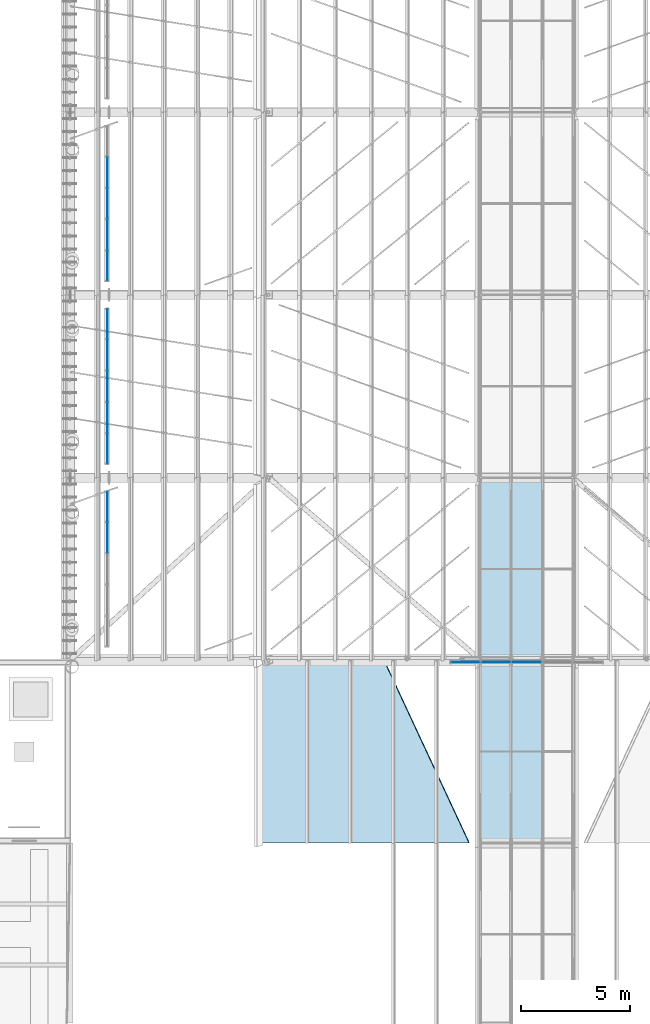
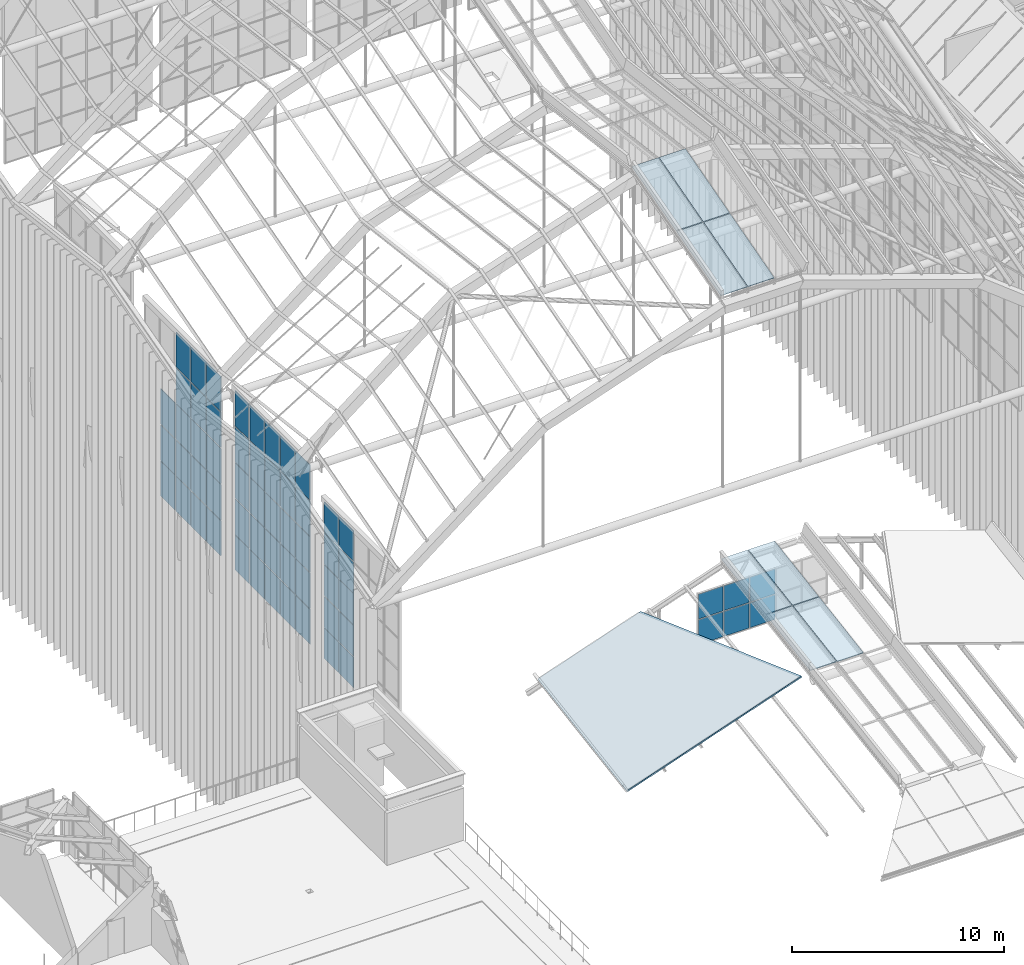
# One storey, part 71 of 126: 67 plates, 1 slab, 4 elements without a shape of their own.
"""IFC4 building model written with IfcOpenShell, lengths in metres."""

from ifc_helpers import new_model, si_unit, direction, frame, origin, origin_2d, place, context, subcontext, project, spatial, polyline, rectangle, outline, extrude, material, layer, layer_set, type_object, element, aggregate, save


model = new_model("IFC4")

# Units and contexts
model_context = context("Model", 3, precision=1e-05, world=origin(), true_north=direction((0.0, 1.0)))
body_context = subcontext(model_context, "Body", "Model", "MODEL_VIEW")
ifc_project = project(units=[si_unit("LENGTHUNIT", "METRE"), si_unit("AREAUNIT", "SQUARE_METRE"), si_unit("VOLUMEUNIT", "CUBIC_METRE"), si_unit("PLANEANGLEUNIT", "RADIAN"), si_unit("MASSUNIT", "GRAM", prefix="KILO")], contexts=[model_context])

# Site, building, storey
site_placement = place(None, origin())
site = spatial("IfcSite", under=ifc_project, at=site_placement, CompositionType="ELEMENT")
building_placement = place(site_placement, origin())
building = spatial("IfcBuilding", under=site, at=building_placement, Name="Sava Quay Ferry Terminal", CompositionType="ELEMENT")
storey_placement = place(building_placement, frame((0.0, 0.0, 15.0)))
storey = spatial("IfcBuildingStorey", under=building, at=storey_placement, Name="L03", CompositionType="ELEMENT", Elevation=15.0)

# Curtain wall, plates
ifc_material_1 = material(Name="Aluminium and glass curtain wall, double low-e glazed", Category="aluminium")
curtain_wall_type_1 = type_object("IfcCurtainWallType", Name="Curtain wall CW-G gable", PredefinedType="NOTDEFINED", material=ifc_material_1)
curtain_wall_1_placement = place(storey_placement, origin())
curtain_wall_1 = element("IfcCurtainWall", 1, at=curtain_wall_1_placement, inside=storey, type_object=curtain_wall_type_1, Name="Curtain wall D-S L03 bay 31", PredefinedType="NOTDEFINED")
ifc_material_2 = material(Name="Laminated glass, double low-e glazed unit", Category="glass")
ifc_layer_1 = layer(ifc_material_2, 0.028076171875)
ifc_layer_set_1 = layer_set([ifc_layer_1], Name="Laminated glass, double low-e glazed unit")
plate_type_1 = type_object("IfcPlateType", Name="Glass panel 28 double low-e", PredefinedType="CURTAIN_PANEL", material=ifc_layer_set_1)
plate_1_placement = place(storey_placement, frame((60.19091796875, 50.31494140625, 0.0498046875), z_axis=(0.0, 0.0, 1.0), x_axis=(1.0, 0.0, 0.0)))
plate_1 = element("IfcPlate", 2, at=plate_1_placement, type_object=plate_type_1, Name="CW92 panel 1.1", PredefinedType="CURTAIN_PANEL", context=body_context, shape_type="SweptSolid", body=[
    extrude(rectangle(XDim=1.322021484375, YDim=0.028076171875, at=origin_2d()), origin(), (0.0, 0.0, 1.0), 1.425048828125),
])
plate_2_placement = place(storey_placement, frame((60.19091796875, 50.31494140625, 1.52490234375), z_axis=(0.0, 0.0, 1.0), x_axis=(1.0, 0.0, 0.0)))
plate_2 = element("IfcPlate", 3, at=plate_2_placement, type_object=plate_type_1, Name="CW92 panel 1.2", PredefinedType="CURTAIN_PANEL", context=body_context, shape_type="SweptSolid", body=[
    extrude(rectangle(XDim=1.322021484375, YDim=0.028076171875, at=origin_2d()), origin(), (0.0, 0.0, 1.0), 1.425048828125),
])
plate_3_placement = place(storey_placement, frame((61.587890625, 50.31494140625, 0.0498046875), z_axis=(0.0, 0.0, 1.0), x_axis=(1.0, 0.0, 0.0)))
plate_3 = element("IfcPlate", 4, at=plate_3_placement, type_object=plate_type_1, Name="CW92 panel 2.1", PredefinedType="CURTAIN_PANEL", context=body_context, shape_type="SweptSolid", body=[
    extrude(rectangle(XDim=1.35205078125, YDim=0.028076171875, at=origin_2d()), origin(), (0.0, 0.0, 1.0), 1.425048828125),
])
plate_4_placement = place(storey_placement, frame((61.587890625, 50.31494140625, 1.52490234375), z_axis=(0.0, 0.0, 1.0), x_axis=(1.0, 0.0, 0.0)))
plate_4 = element("IfcPlate", 5, at=plate_4_placement, type_object=plate_type_1, Name="CW92 panel 2.2", PredefinedType="CURTAIN_PANEL", context=body_context, shape_type="SweptSolid", body=[
    extrude(rectangle(XDim=1.35205078125, YDim=0.028076171875, at=origin_2d()), origin(), (0.0, 0.0, 1.0), 1.425048828125),
])
plate_5_placement = place(storey_placement, frame((63.0, 50.31494140625, 0.0498046875), z_axis=(0.0, 0.0, 1.0), x_axis=(1.0, 0.0, 0.0)))
plate_5 = element("IfcPlate", 6, at=plate_5_placement, type_object=plate_type_1, Name="CW92 panel 3.1", PredefinedType="CURTAIN_PANEL", context=body_context, shape_type="SweptSolid", body=[
    extrude(rectangle(XDim=1.35205078125, YDim=0.028076171875, at=origin_2d()), origin(), (0.0, 0.0, 1.0), 1.425048828125),
])
plate_6_placement = place(storey_placement, frame((63.0, 50.31494140625, 1.52490234375), z_axis=(0.0, 0.0, 1.0), x_axis=(1.0, 0.0, 0.0)))
plate_6 = element("IfcPlate", 7, at=plate_6_placement, type_object=plate_type_1, Name="CW92 panel 3.2", PredefinedType="CURTAIN_PANEL", context=body_context, shape_type="SweptSolid", body=[
    extrude(rectangle(XDim=1.35205078125, YDim=0.028076171875, at=origin_2d()), origin(), (0.0, 0.0, 1.0), 1.425048828125),
])
aggregate(curtain_wall_1, [plate_1, plate_2, plate_3, plate_4, plate_5, plate_6])

ifc_material_3 = material(Name="Aluminium and glass curtain wall, double low-e glazed", Category="aluminium")
curtain_wall_type_2 = type_object("IfcCurtainWallType", Name="Curtain wall CW-F flank", PredefinedType="NOTDEFINED", material=ifc_material_3)
curtain_wall_2_placement = place(storey_placement, origin())
curtain_wall_2 = element("IfcCurtainWall", 8, at=curtain_wall_2_placement, inside=storey, type_object=curtain_wall_type_2, Name="Curtain wall D-W L03 bay 1", PredefinedType="NOTDEFINED")
plate_7_placement = place(storey_placement, frame((43.72509765625, 56.0400390625, 0.050048828125), z_axis=(0.0, 0.0, 1.0), x_axis=(0.0, 1.0, 0.0)))
plate_7 = element("IfcPlate", 9, at=plate_7_placement, type_object=plate_type_1, Name="CW98 panel 4.1", PredefinedType="CURTAIN_PANEL", context=body_context, shape_type="SweptSolid", body=[
    extrude(rectangle(XDim=1.3798828125, YDim=0.028076171875, at=origin_2d()), origin(), (0.0, 0.0, 1.0), 1.7451171875),
])
plate_8_placement = place(storey_placement, frame((43.72509765625, 56.0400390625, 1.844970703125), z_axis=(0.0, 0.0, 1.0), x_axis=(0.0, 1.0, 0.0)))
plate_8 = element("IfcPlate", 10, at=plate_8_placement, type_object=plate_type_1, Name="CW98 panel 4.2", PredefinedType="CURTAIN_PANEL", context=body_context, shape_type="SweptSolid", body=[
    extrude(rectangle(XDim=1.3798828125, YDim=0.028076171875, at=origin_2d()), origin(), (0.0, 0.0, 1.0), 1.77001953125),
])
plate_9_placement = place(storey_placement, frame((43.72509765625, 56.0400390625, 3.6650390625), z_axis=(0.0, 0.0, 1.0), x_axis=(0.0, 1.0, 0.0)))
plate_9 = element("IfcPlate", 11, at=plate_9_placement, type_object=plate_type_1, Name="CW98 panel 4.3", PredefinedType="CURTAIN_PANEL", context=body_context, shape_type="SweptSolid", body=[
    extrude(rectangle(XDim=1.3798828125, YDim=0.028076171875, at=origin_2d()), origin(), (0.0, 0.0, 1.0), 1.77001953125),
])
plate_10_placement = place(storey_placement, frame((43.72509765625, 56.0400390625, 5.485107421875), z_axis=(0.0, 0.0, 1.0), x_axis=(0.0, 1.0, 0.0)))
plate_10 = element("IfcPlate", 12, at=plate_10_placement, type_object=plate_type_1, Name="CW98 panel 4.4", PredefinedType="CURTAIN_PANEL", context=body_context, shape_type="SweptSolid", body=[
    extrude(rectangle(XDim=1.3798828125, YDim=0.028076171875, at=origin_2d()), origin(), (0.0, 0.0, 1.0), 1.77001953125),
])
plate_11_placement = place(storey_placement, frame((43.72509765625, 56.0400390625, 7.304931640625), z_axis=(0.0, 0.0, 1.0), x_axis=(0.0, 1.0, 0.0)))
plate_11 = element("IfcPlate", 13, at=plate_11_placement, type_object=plate_type_1, Name="CW98 panel 4.5", PredefinedType="CURTAIN_PANEL", context=body_context, shape_type="SweptSolid", body=[
    extrude(rectangle(XDim=1.3798828125, YDim=0.028076171875, at=origin_2d()), origin(), (0.0, 0.0, 1.0), 1.7451171875),
])
plate_12_placement = place(storey_placement, frame((43.72509765625, 57.465087890625, 0.050048828125), z_axis=(0.0, 0.0, 1.0), x_axis=(0.0, 1.0, 0.0)))
plate_12 = element("IfcPlate", 14, at=plate_12_placement, type_object=plate_type_1, Name="CW98 panel 5.1", PredefinedType="CURTAIN_PANEL", context=body_context, shape_type="SweptSolid", body=[
    extrude(rectangle(XDim=1.35009765625, YDim=0.028076171875, at=origin_2d()), origin(), (0.0, 0.0, 1.0), 1.7451171875),
])
plate_13_placement = place(storey_placement, frame((43.72509765625, 57.465087890625, 1.844970703125), z_axis=(0.0, 0.0, 1.0), x_axis=(0.0, 1.0, 0.0)))
plate_13 = element("IfcPlate", 15, at=plate_13_placement, type_object=plate_type_1, Name="CW98 panel 5.2", PredefinedType="CURTAIN_PANEL", context=body_context, shape_type="SweptSolid", body=[
    extrude(rectangle(XDim=1.35009765625, YDim=0.028076171875, at=origin_2d()), origin(), (0.0, 0.0, 1.0), 1.77001953125),
])
plate_14_placement = place(storey_placement, frame((43.72509765625, 57.465087890625, 3.6650390625), z_axis=(0.0, 0.0, 1.0), x_axis=(0.0, 1.0, 0.0)))
plate_14 = element("IfcPlate", 16, at=plate_14_placement, type_object=plate_type_1, Name="CW98 panel 5.3", PredefinedType="CURTAIN_PANEL", context=body_context, shape_type="SweptSolid", body=[
    extrude(rectangle(XDim=1.35009765625, YDim=0.028076171875, at=origin_2d()), origin(), (0.0, 0.0, 1.0), 1.77001953125),
])
plate_15_placement = place(storey_placement, frame((43.72509765625, 57.465087890625, 5.485107421875), z_axis=(0.0, 0.0, 1.0), x_axis=(0.0, 1.0, 0.0)))
plate_15 = element("IfcPlate", 17, at=plate_15_placement, type_object=plate_type_1, Name="CW98 panel 5.4", PredefinedType="CURTAIN_PANEL", context=body_context, shape_type="SweptSolid", body=[
    extrude(rectangle(XDim=1.35009765625, YDim=0.028076171875, at=origin_2d()), origin(), (0.0, 0.0, 1.0), 1.77001953125),
])
plate_16_placement = place(storey_placement, frame((43.72509765625, 57.465087890625, 7.304931640625), z_axis=(0.0, 0.0, 1.0), x_axis=(0.0, 1.0, 0.0)))
plate_16 = element("IfcPlate", 18, at=plate_16_placement, type_object=plate_type_1, Name="CW98 panel 5.5", PredefinedType="CURTAIN_PANEL", context=body_context, shape_type="SweptSolid", body=[
    extrude(rectangle(XDim=1.35009765625, YDim=0.028076171875, at=origin_2d()), origin(), (0.0, 0.0, 1.0), 1.7451171875),
])
aggregate(curtain_wall_2, [plate_7, plate_8, plate_9, plate_10, plate_11, plate_12, plate_13, plate_14, plate_15, plate_16])

curtain_wall_3_placement = place(storey_placement, origin())
curtain_wall_3 = element("IfcCurtainWall", 19, at=curtain_wall_3_placement, inside=storey, type_object=curtain_wall_type_2, Name="Curtain wall D-W L03 bay 2", PredefinedType="NOTDEFINED")
plate_17_placement = place(storey_placement, frame((43.72509765625, 60.135009765625, 0.050048828125), z_axis=(0.0, 0.0, 1.0), x_axis=(0.0, 1.0, 0.0)))
plate_17 = element("IfcPlate", 20, at=plate_17_placement, type_object=plate_type_1, Name="CW102 panel 1.1", PredefinedType="CURTAIN_PANEL", context=body_context, shape_type="SweptSolid", body=[
    extrude(rectangle(XDim=1.35009765625, YDim=0.028076171875, at=origin_2d()), origin(), (0.0, 0.0, 1.0), 2.0048828125),
])
plate_18_placement = place(storey_placement, frame((43.72509765625, 60.135009765625, 2.10498046875), z_axis=(0.0, 0.0, 1.0), x_axis=(0.0, 1.0, 0.0)))
plate_18 = element("IfcPlate", 21, at=plate_18_placement, type_object=plate_type_1, Name="CW102 panel 1.2", PredefinedType="CURTAIN_PANEL", context=body_context, shape_type="SweptSolid", body=[
    extrude(rectangle(XDim=1.35009765625, YDim=0.028076171875, at=origin_2d()), origin(), (0.0, 0.0, 1.0), 2.030029296875),
])
plate_19_placement = place(storey_placement, frame((43.72509765625, 60.135009765625, 4.18505859375), z_axis=(0.0, 0.0, 1.0), x_axis=(0.0, 1.0, 0.0)))
plate_19 = element("IfcPlate", 22, at=plate_19_placement, type_object=plate_type_1, Name="CW102 panel 1.3", PredefinedType="CURTAIN_PANEL", context=body_context, shape_type="SweptSolid", body=[
    extrude(rectangle(XDim=1.35009765625, YDim=0.028076171875, at=origin_2d()), origin(), (0.0, 0.0, 1.0), 2.030029296875),
])
plate_20_placement = place(storey_placement, frame((43.72509765625, 60.135009765625, 6.26513671875), z_axis=(0.0, 0.0, 1.0), x_axis=(0.0, 1.0, 0.0)))
plate_20 = element("IfcPlate", 23, at=plate_20_placement, type_object=plate_type_1, Name="CW102 panel 1.4", PredefinedType="CURTAIN_PANEL", context=body_context, shape_type="SweptSolid", body=[
    extrude(rectangle(XDim=1.35009765625, YDim=0.028076171875, at=origin_2d()), origin(), (0.0, 0.0, 1.0), 2.030029296875),
])
plate_21_placement = place(storey_placement, frame((43.72509765625, 60.135009765625, 8.344970703125), z_axis=(0.0, 0.0, 1.0), x_axis=(0.0, 1.0, 0.0)))
plate_21 = element("IfcPlate", 24, at=plate_21_placement, type_object=plate_type_1, Name="CW102 panel 1.5", PredefinedType="CURTAIN_PANEL", context=body_context, shape_type="SweptSolid", body=[
    extrude(rectangle(XDim=1.35009765625, YDim=0.028076171875, at=origin_2d()), origin(), (0.0, 0.0, 1.0), 2.0048828125),
])
plate_22_placement = place(storey_placement, frame((43.72509765625, 61.56005859375, 0.050048828125), z_axis=(0.0, 0.0, 1.0), x_axis=(0.0, 1.0, 0.0)))
plate_22 = element("IfcPlate", 25, at=plate_22_placement, type_object=plate_type_1, Name="CW102 panel 2.1", PredefinedType="CURTAIN_PANEL", context=body_context, shape_type="SweptSolid", body=[
    extrude(rectangle(XDim=1.3798828125, YDim=0.028076171875, at=origin_2d()), origin(), (0.0, 0.0, 1.0), 2.0048828125),
])
plate_23_placement = place(storey_placement, frame((43.72509765625, 61.56005859375, 2.10498046875), z_axis=(0.0, 0.0, 1.0), x_axis=(0.0, 1.0, 0.0)))
plate_23 = element("IfcPlate", 26, at=plate_23_placement, type_object=plate_type_1, Name="CW102 panel 2.2", PredefinedType="CURTAIN_PANEL", context=body_context, shape_type="SweptSolid", body=[
    extrude(rectangle(XDim=1.3798828125, YDim=0.028076171875, at=origin_2d()), origin(), (0.0, 0.0, 1.0), 2.030029296875),
])
plate_24_placement = place(storey_placement, frame((43.72509765625, 61.56005859375, 4.18505859375), z_axis=(0.0, 0.0, 1.0), x_axis=(0.0, 1.0, 0.0)))
plate_24 = element("IfcPlate", 27, at=plate_24_placement, type_object=plate_type_1, Name="CW102 panel 2.3", PredefinedType="CURTAIN_PANEL", context=body_context, shape_type="SweptSolid", body=[
    extrude(rectangle(XDim=1.3798828125, YDim=0.028076171875, at=origin_2d()), origin(), (0.0, 0.0, 1.0), 2.030029296875),
])
plate_25_placement = place(storey_placement, frame((43.72509765625, 61.56005859375, 6.26513671875), z_axis=(0.0, 0.0, 1.0), x_axis=(0.0, 1.0, 0.0)))
plate_25 = element("IfcPlate", 28, at=plate_25_placement, type_object=plate_type_1, Name="CW102 panel 2.4", PredefinedType="CURTAIN_PANEL", context=body_context, shape_type="SweptSolid", body=[
    extrude(rectangle(XDim=1.3798828125, YDim=0.028076171875, at=origin_2d()), origin(), (0.0, 0.0, 1.0), 2.030029296875),
])
plate_26_placement = place(storey_placement, frame((43.72509765625, 61.56005859375, 8.344970703125), z_axis=(0.0, 0.0, 1.0), x_axis=(0.0, 1.0, 0.0)))
plate_26 = element("IfcPlate", 29, at=plate_26_placement, type_object=plate_type_1, Name="CW102 panel 2.5", PredefinedType="CURTAIN_PANEL", context=body_context, shape_type="SweptSolid", body=[
    extrude(rectangle(XDim=1.3798828125, YDim=0.028076171875, at=origin_2d()), origin(), (0.0, 0.0, 1.0), 2.0048828125),
])
plate_27_placement = place(storey_placement, frame((43.72509765625, 63.0, 0.050048828125), z_axis=(0.0, 0.0, 1.0), x_axis=(0.0, 1.0, 0.0)))
plate_27 = element("IfcPlate", 30, at=plate_27_placement, type_object=plate_type_1, Name="CW102 panel 3.1", PredefinedType="CURTAIN_PANEL", context=body_context, shape_type="SweptSolid", body=[
    extrude(rectangle(XDim=1.3798828125, YDim=0.028076171875, at=origin_2d()), origin(), (0.0, 0.0, 1.0), 2.0048828125),
])
plate_28_placement = place(storey_placement, frame((43.72509765625, 63.0, 2.10498046875), z_axis=(0.0, 0.0, 1.0), x_axis=(0.0, 1.0, 0.0)))
plate_28 = element("IfcPlate", 31, at=plate_28_placement, type_object=plate_type_1, Name="CW102 panel 3.2", PredefinedType="CURTAIN_PANEL", context=body_context, shape_type="SweptSolid", body=[
    extrude(rectangle(XDim=1.3798828125, YDim=0.028076171875, at=origin_2d()), origin(), (0.0, 0.0, 1.0), 2.030029296875),
])
plate_29_placement = place(storey_placement, frame((43.72509765625, 63.0, 4.18505859375), z_axis=(0.0, 0.0, 1.0), x_axis=(0.0, 1.0, 0.0)))
plate_29 = element("IfcPlate", 32, at=plate_29_placement, type_object=plate_type_1, Name="CW102 panel 3.3", PredefinedType="CURTAIN_PANEL", context=body_context, shape_type="SweptSolid", body=[
    extrude(rectangle(XDim=1.3798828125, YDim=0.028076171875, at=origin_2d()), origin(), (0.0, 0.0, 1.0), 2.030029296875),
])
plate_30_placement = place(storey_placement, frame((43.72509765625, 63.0, 6.26513671875), z_axis=(0.0, 0.0, 1.0), x_axis=(0.0, 1.0, 0.0)))
plate_30 = element("IfcPlate", 33, at=plate_30_placement, type_object=plate_type_1, Name="CW102 panel 3.4", PredefinedType="CURTAIN_PANEL", context=body_context, shape_type="SweptSolid", body=[
    extrude(rectangle(XDim=1.3798828125, YDim=0.028076171875, at=origin_2d()), origin(), (0.0, 0.0, 1.0), 2.030029296875),
])
plate_31_placement = place(storey_placement, frame((43.72509765625, 63.0, 8.344970703125), z_axis=(0.0, 0.0, 1.0), x_axis=(0.0, 1.0, 0.0)))
plate_31 = element("IfcPlate", 34, at=plate_31_placement, type_object=plate_type_1, Name="CW102 panel 3.5", PredefinedType="CURTAIN_PANEL", context=body_context, shape_type="SweptSolid", body=[
    extrude(rectangle(XDim=1.3798828125, YDim=0.028076171875, at=origin_2d()), origin(), (0.0, 0.0, 1.0), 2.0048828125),
])
plate_32_placement = place(storey_placement, frame((43.72509765625, 64.43994140625, 0.050048828125), z_axis=(0.0, 0.0, 1.0), x_axis=(0.0, 1.0, 0.0)))
plate_32 = element("IfcPlate", 35, at=plate_32_placement, type_object=plate_type_1, Name="CW102 panel 4.1", PredefinedType="CURTAIN_PANEL", context=body_context, shape_type="SweptSolid", body=[
    extrude(rectangle(XDim=1.3798828125, YDim=0.028076171875, at=origin_2d()), origin(), (0.0, 0.0, 1.0), 2.0048828125),
])
plate_33_placement = place(storey_placement, frame((43.72509765625, 64.43994140625, 2.10498046875), z_axis=(0.0, 0.0, 1.0), x_axis=(0.0, 1.0, 0.0)))
plate_33 = element("IfcPlate", 36, at=plate_33_placement, type_object=plate_type_1, Name="CW102 panel 4.2", PredefinedType="CURTAIN_PANEL", context=body_context, shape_type="SweptSolid", body=[
    extrude(rectangle(XDim=1.3798828125, YDim=0.028076171875, at=origin_2d()), origin(), (0.0, 0.0, 1.0), 2.030029296875),
])
plate_34_placement = place(storey_placement, frame((43.72509765625, 64.43994140625, 4.18505859375), z_axis=(0.0, 0.0, 1.0), x_axis=(0.0, 1.0, 0.0)))
plate_34 = element("IfcPlate", 37, at=plate_34_placement, type_object=plate_type_1, Name="CW102 panel 4.3", PredefinedType="CURTAIN_PANEL", context=body_context, shape_type="SweptSolid", body=[
    extrude(rectangle(XDim=1.3798828125, YDim=0.028076171875, at=origin_2d()), origin(), (0.0, 0.0, 1.0), 2.030029296875),
])
plate_35_placement = place(storey_placement, frame((43.72509765625, 64.43994140625, 6.26513671875), z_axis=(0.0, 0.0, 1.0), x_axis=(0.0, 1.0, 0.0)))
plate_35 = element("IfcPlate", 38, at=plate_35_placement, type_object=plate_type_1, Name="CW102 panel 4.4", PredefinedType="CURTAIN_PANEL", context=body_context, shape_type="SweptSolid", body=[
    extrude(rectangle(XDim=1.3798828125, YDim=0.028076171875, at=origin_2d()), origin(), (0.0, 0.0, 1.0), 2.030029296875),
])
plate_36_placement = place(storey_placement, frame((43.72509765625, 64.43994140625, 8.344970703125), z_axis=(0.0, 0.0, 1.0), x_axis=(0.0, 1.0, 0.0)))
plate_36 = element("IfcPlate", 39, at=plate_36_placement, type_object=plate_type_1, Name="CW102 panel 4.5", PredefinedType="CURTAIN_PANEL", context=body_context, shape_type="SweptSolid", body=[
    extrude(rectangle(XDim=1.3798828125, YDim=0.028076171875, at=origin_2d()), origin(), (0.0, 0.0, 1.0), 2.0048828125),
])
plate_37_placement = place(storey_placement, frame((43.72509765625, 65.864990234375, 0.050048828125), z_axis=(0.0, 0.0, 1.0), x_axis=(0.0, 1.0, 0.0)))
plate_37 = element("IfcPlate", 40, at=plate_37_placement, type_object=plate_type_1, Name="CW102 panel 5.1", PredefinedType="CURTAIN_PANEL", context=body_context, shape_type="SweptSolid", body=[
    extrude(rectangle(XDim=1.35009765625, YDim=0.028076171875, at=origin_2d()), origin(), (0.0, 0.0, 1.0), 2.0048828125),
])
plate_38_placement = place(storey_placement, frame((43.72509765625, 65.864990234375, 2.10498046875), z_axis=(0.0, 0.0, 1.0), x_axis=(0.0, 1.0, 0.0)))
plate_38 = element("IfcPlate", 41, at=plate_38_placement, type_object=plate_type_1, Name="CW102 panel 5.2", PredefinedType="CURTAIN_PANEL", context=body_context, shape_type="SweptSolid", body=[
    extrude(rectangle(XDim=1.35009765625, YDim=0.028076171875, at=origin_2d()), origin(), (0.0, 0.0, 1.0), 2.030029296875),
])
plate_39_placement = place(storey_placement, frame((43.72509765625, 65.864990234375, 4.18505859375), z_axis=(0.0, 0.0, 1.0), x_axis=(0.0, 1.0, 0.0)))
plate_39 = element("IfcPlate", 42, at=plate_39_placement, type_object=plate_type_1, Name="CW102 panel 5.3", PredefinedType="CURTAIN_PANEL", context=body_context, shape_type="SweptSolid", body=[
    extrude(rectangle(XDim=1.35009765625, YDim=0.028076171875, at=origin_2d()), origin(), (0.0, 0.0, 1.0), 2.030029296875),
])
plate_40_placement = place(storey_placement, frame((43.72509765625, 65.864990234375, 6.26513671875), z_axis=(0.0, 0.0, 1.0), x_axis=(0.0, 1.0, 0.0)))
plate_40 = element("IfcPlate", 43, at=plate_40_placement, type_object=plate_type_1, Name="CW102 panel 5.4", PredefinedType="CURTAIN_PANEL", context=body_context, shape_type="SweptSolid", body=[
    extrude(rectangle(XDim=1.35009765625, YDim=0.028076171875, at=origin_2d()), origin(), (0.0, 0.0, 1.0), 2.030029296875),
])
plate_41_placement = place(storey_placement, frame((43.72509765625, 65.864990234375, 8.344970703125), z_axis=(0.0, 0.0, 1.0), x_axis=(0.0, 1.0, 0.0)))
plate_41 = element("IfcPlate", 44, at=plate_41_placement, type_object=plate_type_1, Name="CW102 panel 5.5", PredefinedType="CURTAIN_PANEL", context=body_context, shape_type="SweptSolid", body=[
    extrude(rectangle(XDim=1.35009765625, YDim=0.028076171875, at=origin_2d()), origin(), (0.0, 0.0, 1.0), 2.0048828125),
])
aggregate(curtain_wall_3, [plate_17, plate_18, plate_19, plate_20, plate_21, plate_22, plate_23, plate_24, plate_25, plate_26, plate_27, plate_28, plate_29, plate_30, plate_31, plate_32, plate_33, plate_34, plate_35, plate_36, plate_37, plate_38, plate_39, plate_40, plate_41])

curtain_wall_4_placement = place(storey_placement, origin())
curtain_wall_4 = element("IfcCurtainWall", 45, at=curtain_wall_4_placement, inside=storey, type_object=curtain_wall_type_2, Name="Curtain wall D-W L03 bay 3", PredefinedType="NOTDEFINED")
plate_42_placement = place(storey_placement, frame((43.72509765625, 68.534912109375, 0.050048828125), z_axis=(0.0, 0.0, 1.0), x_axis=(0.0, 1.0, 0.0)))
plate_42 = element("IfcPlate", 46, at=plate_42_placement, type_object=plate_type_1, Name="CW106 panel 1.1", PredefinedType="CURTAIN_PANEL", context=body_context, shape_type="SweptSolid", body=[
    extrude(rectangle(XDim=1.35009765625, YDim=0.028076171875, at=origin_2d()), origin(), (0.0, 0.0, 1.0), 2.0048828125),
])
plate_43_placement = place(storey_placement, frame((43.72509765625, 68.534912109375, 2.10498046875), z_axis=(0.0, 0.0, 1.0), x_axis=(0.0, 1.0, 0.0)))
plate_43 = element("IfcPlate", 47, at=plate_43_placement, type_object=plate_type_1, Name="CW106 panel 1.2", PredefinedType="CURTAIN_PANEL", context=body_context, shape_type="SweptSolid", body=[
    extrude(rectangle(XDim=1.35009765625, YDim=0.028076171875, at=origin_2d()), origin(), (0.0, 0.0, 1.0), 2.030029296875),
])
plate_44_placement = place(storey_placement, frame((43.72509765625, 68.534912109375, 4.18505859375), z_axis=(0.0, 0.0, 1.0), x_axis=(0.0, 1.0, 0.0)))
plate_44 = element("IfcPlate", 48, at=plate_44_placement, type_object=plate_type_1, Name="CW106 panel 1.3", PredefinedType="CURTAIN_PANEL", context=body_context, shape_type="SweptSolid", body=[
    extrude(rectangle(XDim=1.35009765625, YDim=0.028076171875, at=origin_2d()), origin(), (0.0, 0.0, 1.0), 2.030029296875),
])
plate_45_placement = place(storey_placement, frame((43.72509765625, 68.534912109375, 6.26513671875), z_axis=(0.0, 0.0, 1.0), x_axis=(0.0, 1.0, 0.0)))
plate_45 = element("IfcPlate", 49, at=plate_45_placement, type_object=plate_type_1, Name="CW106 panel 1.4", PredefinedType="CURTAIN_PANEL", context=body_context, shape_type="SweptSolid", body=[
    extrude(rectangle(XDim=1.35009765625, YDim=0.028076171875, at=origin_2d()), origin(), (0.0, 0.0, 1.0), 2.030029296875),
])
plate_46_placement = place(storey_placement, frame((43.72509765625, 68.534912109375, 8.344970703125), z_axis=(0.0, 0.0, 1.0), x_axis=(0.0, 1.0, 0.0)))
plate_46 = element("IfcPlate", 50, at=plate_46_placement, type_object=plate_type_1, Name="CW106 panel 1.5", PredefinedType="CURTAIN_PANEL", context=body_context, shape_type="SweptSolid", body=[
    extrude(rectangle(XDim=1.35009765625, YDim=0.028076171875, at=origin_2d()), origin(), (0.0, 0.0, 1.0), 2.0048828125),
])
plate_47_placement = place(storey_placement, frame((43.72509765625, 69.9599609375, 0.050048828125), z_axis=(0.0, 0.0, 1.0), x_axis=(0.0, 1.0, 0.0)))
plate_47 = element("IfcPlate", 51, at=plate_47_placement, type_object=plate_type_1, Name="CW106 panel 2.1", PredefinedType="CURTAIN_PANEL", context=body_context, shape_type="SweptSolid", body=[
    extrude(rectangle(XDim=1.3798828125, YDim=0.028076171875, at=origin_2d()), origin(), (0.0, 0.0, 1.0), 2.0048828125),
])
plate_48_placement = place(storey_placement, frame((43.72509765625, 69.9599609375, 2.10498046875), z_axis=(0.0, 0.0, 1.0), x_axis=(0.0, 1.0, 0.0)))
plate_48 = element("IfcPlate", 52, at=plate_48_placement, type_object=plate_type_1, Name="CW106 panel 2.2", PredefinedType="CURTAIN_PANEL", context=body_context, shape_type="SweptSolid", body=[
    extrude(rectangle(XDim=1.3798828125, YDim=0.028076171875, at=origin_2d()), origin(), (0.0, 0.0, 1.0), 2.030029296875),
])
plate_49_placement = place(storey_placement, frame((43.72509765625, 69.9599609375, 4.18505859375), z_axis=(0.0, 0.0, 1.0), x_axis=(0.0, 1.0, 0.0)))
plate_49 = element("IfcPlate", 53, at=plate_49_placement, type_object=plate_type_1, Name="CW106 panel 2.3", PredefinedType="CURTAIN_PANEL", context=body_context, shape_type="SweptSolid", body=[
    extrude(rectangle(XDim=1.3798828125, YDim=0.028076171875, at=origin_2d()), origin(), (0.0, 0.0, 1.0), 2.030029296875),
])
plate_50_placement = place(storey_placement, frame((43.72509765625, 69.9599609375, 6.26513671875), z_axis=(0.0, 0.0, 1.0), x_axis=(0.0, 1.0, 0.0)))
plate_50 = element("IfcPlate", 54, at=plate_50_placement, type_object=plate_type_1, Name="CW106 panel 2.4", PredefinedType="CURTAIN_PANEL", context=body_context, shape_type="SweptSolid", body=[
    extrude(rectangle(XDim=1.3798828125, YDim=0.028076171875, at=origin_2d()), origin(), (0.0, 0.0, 1.0), 2.030029296875),
])
plate_51_placement = place(storey_placement, frame((43.72509765625, 69.9599609375, 8.344970703125), z_axis=(0.0, 0.0, 1.0), x_axis=(0.0, 1.0, 0.0)))
plate_51 = element("IfcPlate", 55, at=plate_51_placement, type_object=plate_type_1, Name="CW106 panel 2.5", PredefinedType="CURTAIN_PANEL", context=body_context, shape_type="SweptSolid", body=[
    extrude(rectangle(XDim=1.3798828125, YDim=0.028076171875, at=origin_2d()), origin(), (0.0, 0.0, 1.0), 2.0048828125),
])
plate_52_placement = place(storey_placement, frame((43.72509765625, 71.39990234375, 0.050048828125), z_axis=(0.0, 0.0, 1.0), x_axis=(0.0, 1.0, 0.0)))
plate_52 = element("IfcPlate", 56, at=plate_52_placement, type_object=plate_type_1, Name="CW106 panel 3.1", PredefinedType="CURTAIN_PANEL", context=body_context, shape_type="SweptSolid", body=[
    extrude(rectangle(XDim=1.3798828125, YDim=0.028076171875, at=origin_2d()), origin(), (0.0, 0.0, 1.0), 2.0048828125),
])
plate_53_placement = place(storey_placement, frame((43.72509765625, 71.39990234375, 2.10498046875), z_axis=(0.0, 0.0, 1.0), x_axis=(0.0, 1.0, 0.0)))
plate_53 = element("IfcPlate", 57, at=plate_53_placement, type_object=plate_type_1, Name="CW106 panel 3.2", PredefinedType="CURTAIN_PANEL", context=body_context, shape_type="SweptSolid", body=[
    extrude(rectangle(XDim=1.3798828125, YDim=0.028076171875, at=origin_2d()), origin(), (0.0, 0.0, 1.0), 2.030029296875),
])
plate_54_placement = place(storey_placement, frame((43.72509765625, 71.39990234375, 4.18505859375), z_axis=(0.0, 0.0, 1.0), x_axis=(0.0, 1.0, 0.0)))
plate_54 = element("IfcPlate", 58, at=plate_54_placement, type_object=plate_type_1, Name="CW106 panel 3.3", PredefinedType="CURTAIN_PANEL", context=body_context, shape_type="SweptSolid", body=[
    extrude(rectangle(XDim=1.3798828125, YDim=0.028076171875, at=origin_2d()), origin(), (0.0, 0.0, 1.0), 2.030029296875),
])
plate_55_placement = place(storey_placement, frame((43.72509765625, 71.39990234375, 6.26513671875), z_axis=(0.0, 0.0, 1.0), x_axis=(0.0, 1.0, 0.0)))
plate_55 = element("IfcPlate", 59, at=plate_55_placement, type_object=plate_type_1, Name="CW106 panel 3.4", PredefinedType="CURTAIN_PANEL", context=body_context, shape_type="SweptSolid", body=[
    extrude(rectangle(XDim=1.3798828125, YDim=0.028076171875, at=origin_2d()), origin(), (0.0, 0.0, 1.0), 2.030029296875),
])
plate_56_placement = place(storey_placement, frame((43.72509765625, 71.39990234375, 8.344970703125), z_axis=(0.0, 0.0, 1.0), x_axis=(0.0, 1.0, 0.0)))
plate_56 = element("IfcPlate", 60, at=plate_56_placement, type_object=plate_type_1, Name="CW106 panel 3.5", PredefinedType="CURTAIN_PANEL", context=body_context, shape_type="SweptSolid", body=[
    extrude(rectangle(XDim=1.3798828125, YDim=0.028076171875, at=origin_2d()), origin(), (0.0, 0.0, 1.0), 2.0048828125),
])
plate_57_placement = place(storey_placement, frame((43.72509765625, 72.840087890625, 0.050048828125), z_axis=(0.0, 0.0, 1.0), x_axis=(0.0, 1.0, 0.0)))
plate_57 = element("IfcPlate", 61, at=plate_57_placement, type_object=plate_type_1, Name="CW106 panel 4.1", PredefinedType="CURTAIN_PANEL", context=body_context, shape_type="SweptSolid", body=[
    extrude(rectangle(XDim=1.3798828125, YDim=0.028076171875, at=origin_2d()), origin(), (0.0, 0.0, 1.0), 2.0048828125),
])
plate_58_placement = place(storey_placement, frame((43.72509765625, 72.840087890625, 2.10498046875), z_axis=(0.0, 0.0, 1.0), x_axis=(0.0, 1.0, 0.0)))
plate_58 = element("IfcPlate", 62, at=plate_58_placement, type_object=plate_type_1, Name="CW106 panel 4.2", PredefinedType="CURTAIN_PANEL", context=body_context, shape_type="SweptSolid", body=[
    extrude(rectangle(XDim=1.3798828125, YDim=0.028076171875, at=origin_2d()), origin(), (0.0, 0.0, 1.0), 2.030029296875),
])
plate_59_placement = place(storey_placement, frame((43.72509765625, 72.840087890625, 4.18505859375), z_axis=(0.0, 0.0, 1.0), x_axis=(0.0, 1.0, 0.0)))
plate_59 = element("IfcPlate", 63, at=plate_59_placement, type_object=plate_type_1, Name="CW106 panel 4.3", PredefinedType="CURTAIN_PANEL", context=body_context, shape_type="SweptSolid", body=[
    extrude(rectangle(XDim=1.3798828125, YDim=0.028076171875, at=origin_2d()), origin(), (0.0, 0.0, 1.0), 2.030029296875),
])
aggregate(curtain_wall_4, [plate_42, plate_43, plate_44, plate_45, plate_46, plate_47, plate_48, plate_49, plate_50, plate_51, plate_52, plate_53, plate_54, plate_55, plate_56, plate_57, plate_58, plate_59])

# Slab
ifc_material_4 = material(Name="Cross laminated timber C24", Category="wood")
ifc_layer_2 = layer(ifc_material_4, 0.10009765625)
ifc_layer_set_2 = layer_set([ifc_layer_2], Name="Cross laminated timber C24")
slab_type = type_object("IfcSlabType", Name="Roof deck CLT 100", PredefinedType="ROOF", material=ifc_layer_set_2)
slab_placement = place(storey_placement, frame((50.8525390625, 50.389892578125, 1.076416015625), z_axis=(-0.32188374634, -0.150013950209, 0.934819056601), x_axis=(0.945518629896, 5.91757e-07, 0.325567996766)))
element("IfcSlab", 64, at=slab_placement, inside=storey, type_object=slab_type, Name="Arrivals hall roof deck bay 2 facet 2 (lower part)", PredefinedType="ROOF", context=body_context, shape_type="SweptSolid", body=[
    extrude(outline(polyline([(0.0, 0.0), (5.908327035110319, -5.551115123125783e-17), (9.601061705762886, -8.475801682194643), (-0.437804892004178, -8.4757921373238), (0.0, 0.0)])), origin(), (0.0, 0.0, -1.0), 0.10009765625),
])

# Plates
ifc_material_5 = material(Name="Laminated glass", Category="glass")
ifc_layer_3 = layer(ifc_material_5, 0.0400390625)
ifc_layer_set_3 = layer_set([ifc_layer_3], Name="Laminated glass")
plate_type_2 = type_object("IfcPlateType", Name="Skylight glass 40", PredefinedType="SHEET", material=ifc_layer_set_3)
plate_60_placement = place(storey_placement, frame((60.811767578125, 50.419921875, 19.5986328125), z_axis=(0.0, -0.27014336509, 0.962820109002), x_axis=(0.0, 0.962820109002, 0.27014336509)))
element("IfcPlate", 65, at=plate_60_placement, inside=storey, type_object=plate_type_2, Name="Departure hall skylight glass D-B0-F2-K00", PredefinedType="SHEET", context=body_context, shape_type="SweptSolid", body=[
    extrude(outline(polyline([(0.0, 0.0), (4.320803243623667, 0.0), (4.320803243623667, -1.43212890625), (0.0, -1.43212890625), (0.0, 0.0)])), origin(), (0.0, 0.0, -1.0), 0.0400390625),
])
plate_61_placement = place(storey_placement, frame((60.811767578125, 54.6201171875, 20.777099609375), z_axis=(0.0, -0.270210443642, 0.962801285908), x_axis=(0.0, 0.962801285908, 0.270210443642)))
element("IfcPlate", 66, at=plate_61_placement, inside=storey, type_object=plate_type_2, Name="Departure hall skylight glass D-B0-F2-K01", PredefinedType="SHEET", context=body_context, shape_type="SweptSolid", body=[
    extrude(outline(polyline([(0.0, 0.0), (4.32063414357632, 0.0), (4.32063414357632, -1.43212890625), (0.0, -1.43212890625), (0.0, 0.0)])), origin(), (0.0, 0.0, -1.0), 0.0400390625),
])
plate_62_placement = place(storey_placement, frame((62.283935546875, 50.419921875, 19.5986328125), z_axis=(0.0, -0.27014336509, 0.962820109002), x_axis=(0.0, 0.962820109002, 0.27014336509)))
element("IfcPlate", 67, at=plate_62_placement, inside=storey, type_object=plate_type_2, Name="Departure hall skylight glass D-B0-F2-K10", PredefinedType="SHEET", context=body_context, shape_type="SweptSolid", body=[
    extrude(outline(polyline([(0.0, 0.0), (4.320803243623667, 0.0), (4.320803243623667, -1.43212890625), (0.0, -1.43212890625), (0.0, 0.0)])), origin(), (0.0, 0.0, -1.0), 0.0400390625),
])
plate_63_placement = place(storey_placement, frame((62.283935546875, 54.6201171875, 20.777099609375), z_axis=(0.0, -0.270210443642, 0.962801285908), x_axis=(0.0, 0.962801285908, 0.270210443642)))
element("IfcPlate", 68, at=plate_63_placement, inside=storey, type_object=plate_type_2, Name="Departure hall skylight glass D-B0-F2-K11", PredefinedType="SHEET", context=body_context, shape_type="SweptSolid", body=[
    extrude(outline(polyline([(0.0, 0.0), (4.32063414357632, 0.0), (4.32063414357632, -1.43212890625), (0.0, -1.43212890625), (0.0, 0.0)])), origin(), (0.0, 0.0, -1.0), 0.0400390625),
])
for number, where, z_axis, x_axis, name in (
    (69, (60.821044921875, 42.02001953125, 3.15869140625), (0.0, -0.158485427579, 0.987361316462), (0.0, 0.987361316462, 0.158485427579), "Arrivals hall skylight glass A-B1-F2-K00"),
    (70, (60.821044921875, 46.219970703125, 3.832763671875), (0.0, -0.158485427579, 0.987361316462), (0.0, 0.987361316462, 0.158485427579), "Arrivals hall skylight glass A-B1-F2-K01"),
):
    element("IfcPlate", number, at=place(storey_placement, frame(where, z_axis=z_axis, x_axis=x_axis)), inside=storey, type_object=plate_type_2, Name=name, PredefinedType="SHEET", context=body_context, shape_type="SweptSolid", body=[
        extrude(outline(polyline([(0.0, 0.0), (4.213160916899539, 0.0), (4.213160916899539, -1.426025390625), (0.0, -1.426025390625), (0.0, 0.0)])), origin(), (0.0, 0.0, -1.0), 0.0400390625),
    ])
for number, where, z_axis, x_axis, name in (
    (71, (62.287109375, 42.02001953125, 3.15869140625), (0.0, -0.158485427579, 0.987361316462), (0.0, 0.987361316462, 0.158485427579), "Arrivals hall skylight glass A-B1-F2-K10"),
    (72, (62.287109375, 46.219970703125, 3.832763671875), (0.0, -0.158485427579, 0.987361316462), (0.0, 0.987361316462, 0.158485427579), "Arrivals hall skylight glass A-B1-F2-K11"),
):
    element("IfcPlate", number, at=place(storey_placement, frame(where, z_axis=z_axis, x_axis=x_axis)), inside=storey, type_object=plate_type_2, Name=name, PredefinedType="SHEET", context=body_context, shape_type="SweptSolid", body=[
        extrude(outline(polyline([(0.0, 0.0), (4.213160916899539, 0.0), (4.213160916899539, -1.42578125), (0.0, -1.42578125), (0.0, 0.0)])), origin(), (0.0, 0.0, -1.0), 0.0400390625),
    ])

save(model, "model.ifc")
